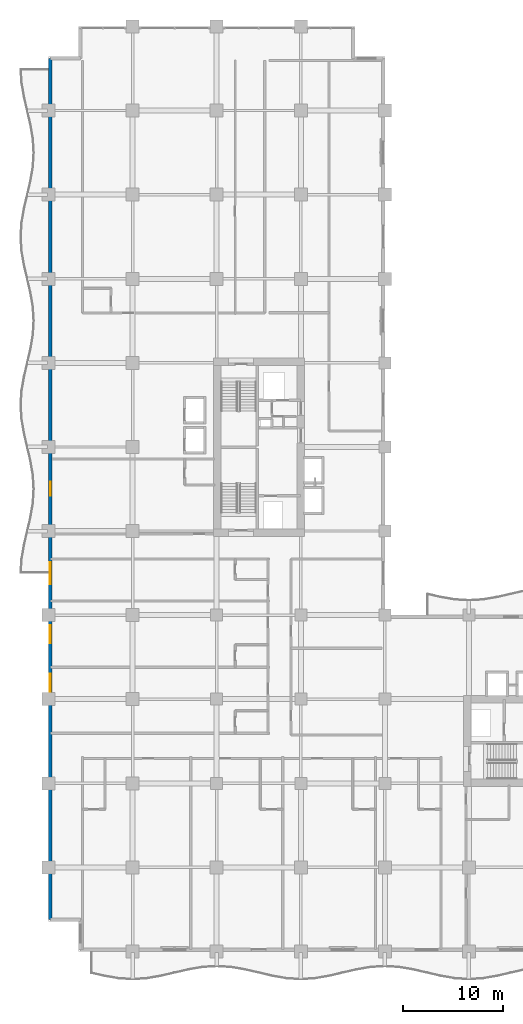
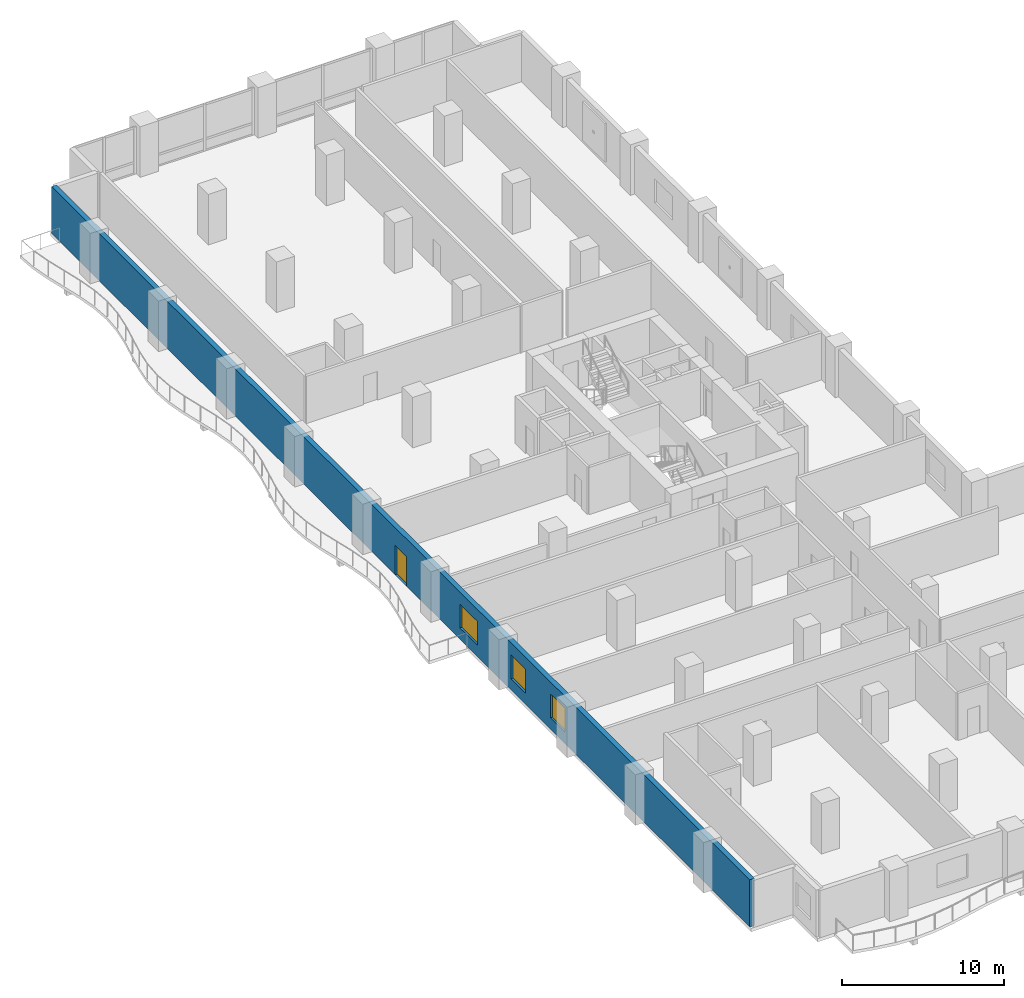
# One storey, part 10 of 21: 3 windows, 1 door, 1 wall, 4 openings.
"""IFC4 building model written with IfcOpenShell, lengths in metres."""

from ifc_helpers import new_model, si_unit, direction, frame, frame_2d, origin, place, context, subcontext, project, spatial, rectangle, extrude, material, layer, layer_set, type_object, element, fill, save


model = new_model("IFC4")

# Units and contexts
model_context = context("Model", 3, precision=1e-05, world=origin(), true_north=direction((0.0, 1.0)))
body_context = subcontext(model_context, "Body", "Model", "MODEL_VIEW")
ifc_project = project(units=[si_unit("LENGTHUNIT", "METRE"), si_unit("AREAUNIT", "SQUARE_METRE"), si_unit("VOLUMEUNIT", "CUBIC_METRE"), si_unit("PLANEANGLEUNIT", "RADIAN"), si_unit("MASSUNIT", "GRAM", prefix="KILO")], contexts=[model_context])

# Site, building, storey
site_placement = place(None, origin())
site = spatial("IfcSite", under=ifc_project, at=site_placement, CompositionType="ELEMENT")
building_placement = place(site_placement, origin())
building = spatial("IfcBuilding", under=site, at=building_placement, Name="Koriwani Terraces Tower", CompositionType="ELEMENT")
storey_placement = place(building_placement, frame((0.0, 0.0, 111.39990234375)))
storey = spatial("IfcBuildingStorey", under=building, at=storey_placement, Name="L26", CompositionType="ELEMENT", Elevation=111.39990234375)

# Wall, openings, door, windows
ifc_material_1 = material(Name="Concrete C50/60", Category="concrete")
ifc_layer = layer(ifc_material_1, 0.35009765625, Name="Concrete C50/60")
ifc_layer_set = layer_set([ifc_layer], Name="Concrete C50/60")
wall_type = type_object("IfcWallType", Name="WALL_EXT_BRUTALIST_350", PredefinedType="STANDARD", material=ifc_layer_set)
wall_placement = place(storey_placement, frame((0.175048828125, 3.175048828125, 0.0), z_axis=(0.0, 0.0, 1.0), x_axis=(0.0, 1.0, 0.0)))
wall = element("IfcWall", 1, at=wall_placement, inside=storey, type_object=wall_type, Name="L26 Fair-Faced Brutalist Exterior Wall (W)", PredefinedType="STANDARD", context=body_context, shape_type="SweptSolid", body=[
    extrude(rectangle(XDim=86.050048828125, YDim=0.35009765625, at=frame_2d((43.02490234375, 0.0))), origin(), (0.0, 0.0, 1.0), 3.550048828125),
])
opening_1_placement = place(wall_placement, frame((42.324951171875, 0.0, 0.0)))
opening_1 = element("IfcOpeningElement", 2, at=opening_1_placement, cuts=wall, Name="Opening D-09", PredefinedType="OPENING", context=body_context, shape_type="SweptSolid", body=[
    extrude(rectangle(XDim=1.39990234375, YDim=2.199951171875, at=frame_2d((0.699951171875, 1.10009765625))), frame((0.0, 0.18505859375, 0.0), z_axis=(0.0, -1.0, 0.0), x_axis=(1.0, 0.0, 0.0)), (0.0, 0.0, 1.0), 0.3701171875),
])
opening_2_placement = place(wall_placement, frame((33.52490234375, 0.0, 0.85009765625)))
opening_2 = element("IfcOpeningElement", 3, at=opening_2_placement, cuts=wall, Name="Opening W-01", PredefinedType="OPENING", context=body_context, shape_type="SweptSolid", body=[
    extrude(rectangle(XDim=2.199951171875, YDim=1.800048828125, at=frame_2d((1.10009765625, 0.89990234375))), frame((0.0, 0.18505859375, 0.0), z_axis=(0.0, -1.0, 0.0), x_axis=(1.0, 0.0, 0.0)), (0.0, 0.0, 1.0), 0.3701171875),
])
opening_3_placement = place(wall_placement, frame((22.77490234375, 0.0, 0.85009765625)))
opening_3 = element("IfcOpeningElement", 4, at=opening_3_placement, cuts=wall, Name="Opening W-04", PredefinedType="OPENING", context=body_context, shape_type="SweptSolid", body=[
    extrude(rectangle(XDim=1.800048828125, YDim=1.800048828125, at=frame_2d((0.89990234375, 0.89990234375))), frame((0.0, 0.18505859375, 0.0), z_axis=(0.0, -1.0, 0.0), x_axis=(1.0, 0.0, 0.0)), (0.0, 0.0, 1.0), 0.3701171875),
])
opening_4_placement = place(wall_placement, frame((27.625, 0.0, 0.85009765625)))
opening_4 = element("IfcOpeningElement", 5, at=opening_4_placement, cuts=wall, Name="Opening W-04", PredefinedType="OPENING", context=body_context, shape_type="SweptSolid", body=[
    extrude(rectangle(XDim=1.800048828125, YDim=1.800048828125, at=frame_2d((0.89990234375, 0.89990234375))), frame((0.0, 0.18505859375, 0.0), z_axis=(0.0, -1.0, 0.0), x_axis=(1.0, 0.0, 0.0)), (0.0, 0.0, 1.0), 0.3701171875),
])
ifc_material_2 = material(Name="Anodised Bronze Aluminium", Category="aluminium")
door_type = type_object("IfcDoorType", Name="DOOR_BALCONY_GLAZED_1400X2200", OperationType="NOTDEFINED", PredefinedType="DOOR", material=ifc_material_2)
door_placement = place(opening_1_placement, origin())
door = element("IfcDoor", 6, at=door_placement, inside=storey, type_object=door_type, Name="L26 West Balcony Glazed Door", OperationType="SINGLE_SWING_LEFT", OverallHeight=2.199951171875, OverallWidth=1.39990234375, PredefinedType="DOOR", context=body_context, shape_type="SweptSolid", body=[
    extrude(rectangle(XDim=1.39990234375, YDim=2.199951171875, at=frame_2d((0.699951171875, 1.10009765625))), frame((0.0, 0.02490234375, 0.0), z_axis=(0.0, -1.0, 0.0), x_axis=(1.0, 0.0, 0.0)), (0.0, 0.0, 1.0), 0.050048828125),
])
fill(opening_1, door)
ifc_material_3 = material(Name="Tempered Laminated Low-E Glass", Category="glass")
window_type_1 = type_object("IfcWindowType", Name="WIN_HOTEL_STD_2200X1800", PartitioningType="DOUBLE_PANEL_VERTICAL", PredefinedType="WINDOW", material=ifc_material_3)
window_1_placement = place(opening_2_placement, origin())
window_1 = element("IfcWindow", 7, at=window_1_placement, inside=storey, type_object=window_type_1, Name="L26 Exterior Window (W-12)", OverallHeight=1.800048828125, OverallWidth=2.199951171875, PartitioningType="SINGLE_PANEL", PredefinedType="WINDOW", context=body_context, shape_type="SweptSolid", body=[
    extrude(rectangle(XDim=2.199951171875, YDim=1.800048828125, at=frame_2d((1.10009765625, 0.89990234375))), frame((0.0, 0.030029296875, 0.0), z_axis=(0.0, -1.0, 0.0), x_axis=(1.0, 0.0, 0.0)), (0.0, 0.0, 1.0), 0.06005859375),
])
fill(opening_2, window_1)
window_type_2 = type_object("IfcWindowType", Name="WIN_RES_BED_1800X1800", PartitioningType="DOUBLE_PANEL_VERTICAL", PredefinedType="WINDOW", material=ifc_material_3)
window_2_placement = place(opening_3_placement, origin())
window_2 = element("IfcWindow", 8, at=window_2_placement, inside=storey, type_object=window_type_2, Name="L26 Exterior Window (W-R40)", OverallHeight=1.800048828125, OverallWidth=1.800048828125, PartitioningType="SINGLE_PANEL", PredefinedType="WINDOW", context=body_context, shape_type="SweptSolid", body=[
    extrude(rectangle(XDim=1.800048828125, YDim=1.800048828125, at=frame_2d((0.89990234375, 0.89990234375))), frame((0.0, 0.030029296875, 0.0), z_axis=(0.0, -1.0, 0.0), x_axis=(1.0, 0.0, 0.0)), (0.0, 0.0, 1.0), 0.06005859375),
])
fill(opening_3, window_2)
window_3_placement = place(opening_4_placement, origin())
window_3 = element("IfcWindow", 9, at=window_3_placement, inside=storey, type_object=window_type_2, Name="L26 Exterior Window (W-R42)", OverallHeight=1.800048828125, OverallWidth=1.800048828125, PartitioningType="SINGLE_PANEL", PredefinedType="WINDOW", context=body_context, shape_type="SweptSolid", body=[
    extrude(rectangle(XDim=1.800048828125, YDim=1.800048828125, at=frame_2d((0.89990234375, 0.89990234375))), frame((0.0, 0.030029296875, 0.0), z_axis=(0.0, -1.0, 0.0), x_axis=(1.0, 0.0, 0.0)), (0.0, 0.0, 1.0), 0.06005859375),
])
fill(opening_4, window_3)

save(model, "model.ifc")
